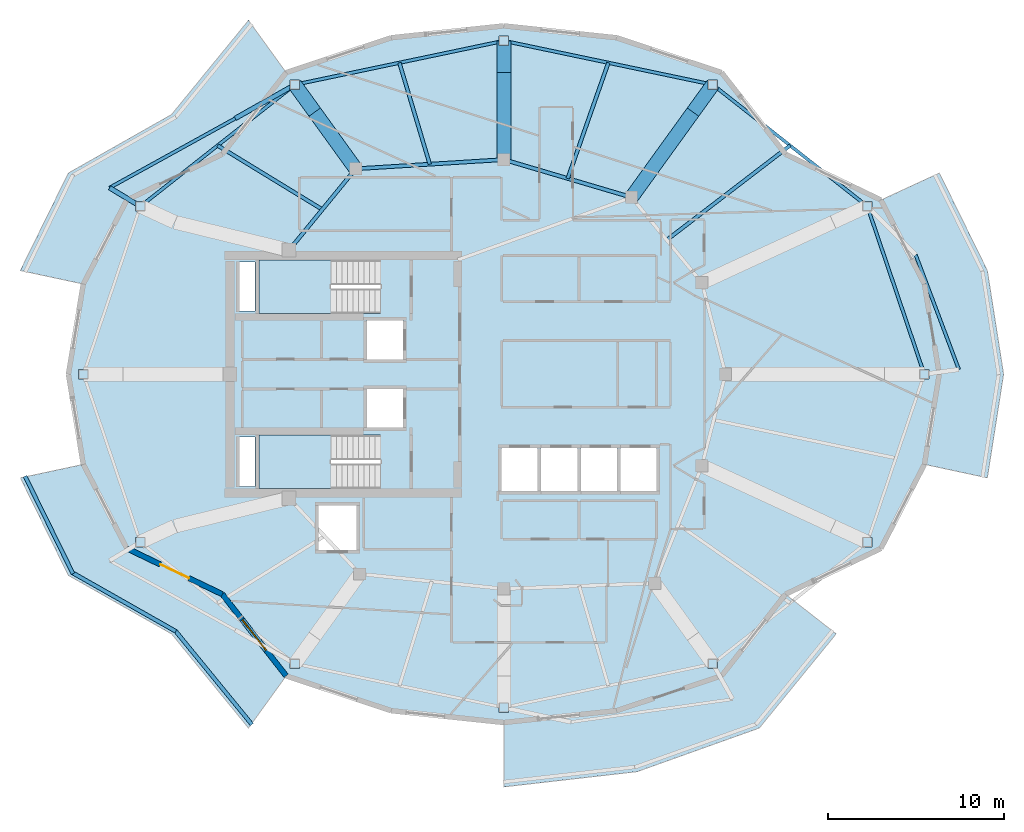
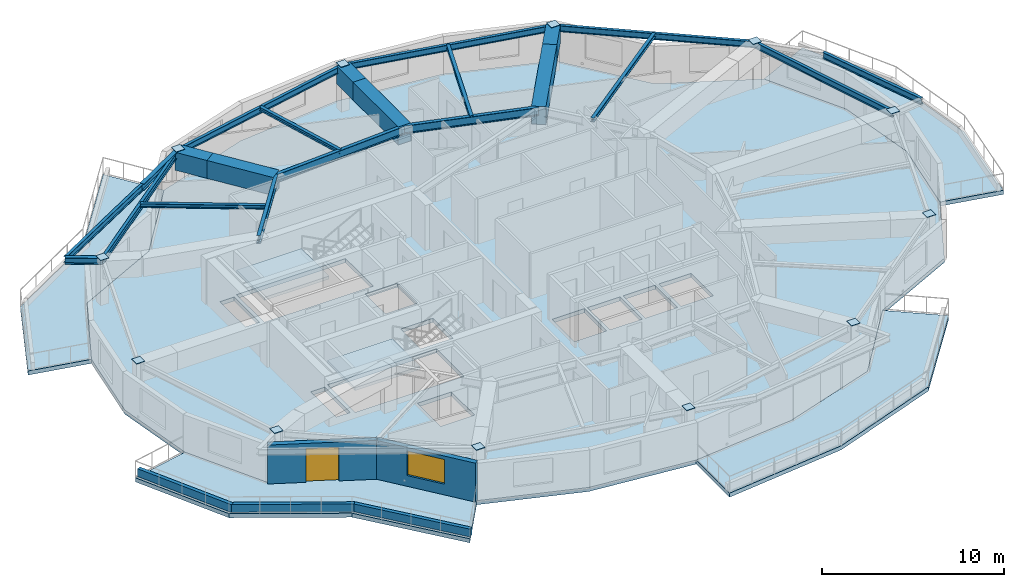
# One storey, part 2 of 11: 22 beams, 12 plates, 7 slabs, 5 walls, 1 door, 1 window, 2 openings, 2 elements without a shape of their own.
"""IFC4 building model written with IfcOpenShell, lengths in metres."""

from ifc_helpers import new_model, si_unit, direction, frame, frame_2d, origin, origin_2d, place, context, subcontext, project, spatial, polyline, rectangle, i_section, outline, extrude, material, layer, layer_set, material_profile, profile_set, type_object, element, fill, aggregate, save


model = new_model("IFC4")

# Units and contexts
model_context = context("Model", 3, precision=1e-05, world=origin(), true_north=direction((0.0, 1.0)))
body_context = subcontext(model_context, "Body", "Model", "MODEL_VIEW")
ifc_project = project(units=[si_unit("LENGTHUNIT", "METRE"), si_unit("AREAUNIT", "SQUARE_METRE"), si_unit("VOLUMEUNIT", "CUBIC_METRE"), si_unit("PLANEANGLEUNIT", "RADIAN"), si_unit("MASSUNIT", "GRAM", prefix="KILO")], contexts=[model_context])

# Site, building, storey
site_placement = place(None, origin())
site = spatial("IfcSite", under=ifc_project, at=site_placement, CompositionType="ELEMENT")
building_placement = place(site_placement, origin())
building = spatial("IfcBuilding", under=site, at=building_placement, Name="Kolvaren Gate Tower and Convention Centre", CompositionType="ELEMENT")
storey_placement = place(building_placement, frame((0.0, 0.0, 236.0)))
storey = spatial("IfcBuildingStorey", under=building, at=storey_placement, Name="L63", CompositionType="ELEMENT", Elevation=236.0)

# Beams
ifc_material_1 = material(Name="Structural steel ASTM A992 Grade 345 MPa", Category="steel")
ifc_material_profile_1 = material_profile(ifc_material_1, i_section(OverallWidth=0.260009765625, OverallDepth=0.419921875, WebThickness=0.013427734375, FlangeThickness=0.0224609375, at=origin_2d()), Name="W410X132")
ifc_profile_set_1 = profile_set([ifc_material_profile_1], Name="Structural steel ASTM A992 Grade 345 MPa")
beam_type_1 = type_object("IfcBeamType", Name="STR-BM-W410X132", PredefinedType="BEAM", material=ifc_profile_set_1)
beam_1_placement = place(storey_placement, frame((18.247314453125, 43.4580078125, 2.820556640625), z_axis=(-0.870602477688, -0.491987119591, 0.0), x_axis=(0.491987119591, -0.870602477688, 0.0)))
element("IfcBeam", 1, at=beam_1_placement, inside=storey, type_object=beam_type_1, Name="Tower L64 Planted Balcony Outrigger Cantilever BC-1A", PredefinedType="BEAM", context=body_context, shape_type="SweptSolid", body=[
    extrude(i_section(OverallWidth=0.260009765625, OverallDepth=0.419921875, WebThickness=0.013427734375, FlangeThickness=0.0224609375, at=origin_2d()), origin(), (0.0, 0.0, 1.0), 3.89990234375),
])
beam_2_placement = place(storey_placement, frame((9.462646484375, 36.543701171875, 2.820556640625), z_axis=(-0.856606413085, 0.515970399404, 0.0), x_axis=(-0.515970399404, -0.856606413085, 0.0)))
element("IfcBeam", 2, at=beam_2_placement, inside=storey, type_object=beam_type_1, Name="Tower L64 Planted Balcony Outrigger Cantilever BC-1B", PredefinedType="BEAM", context=body_context, shape_type="SweptSolid", body=[
    extrude(i_section(OverallWidth=0.260009765625, OverallDepth=0.419921875, WebThickness=0.013427734375, FlangeThickness=0.0224609375, at=origin_2d()), origin(), (0.0, 0.0, 1.0), 2.044189453125),
])
ifc_material_profile_2 = material_profile(ifc_material_1, i_section(OverallWidth=0.2119140625, OverallDepth=0.5439453125, WebThickness=0.01318359375, FlangeThickness=0.021240234375, at=origin_2d()), Name="W530X123")
ifc_profile_set_2 = profile_set([ifc_material_profile_2], Name="Structural steel ASTM A992 Grade 345 MPa")
beam_type_2 = type_object("IfcBeamType", Name="STR-BM-W530X123", PredefinedType="BEAM", material=ifc_profile_set_2)
beam_3_placement = place(storey_placement, frame((37.381591796875, 37.054931640625, 2.758056640625), z_axis=(-0.958980837827, 0.283470902706, 0.0), x_axis=(-0.283470902706, -0.958980837827, 0.0)))
element("IfcBeam", 3, at=beam_3_placement, inside=storey, type_object=beam_type_2, Name="Tower L63 Primary Ring Girder G-03", PredefinedType="BEAM", context=body_context, shape_type="SweptSolid", body=[
    extrude(i_section(OverallWidth=0.2119140625, OverallDepth=0.5439453125, WebThickness=0.01318359375, FlangeThickness=0.021240234375, at=origin_2d()), origin(), (0.0, 0.0, 1.0), 7.56689453125),
])
beam_4_placement = place(storey_placement, frame((30.125, 39.199951171875, 2.758056640625), z_axis=(-0.998078258568, -0.06196603726, 0.0), x_axis=(0.06196603726, -0.998078258568, 0.0)))
element("IfcBeam", 4, at=beam_4_placement, inside=storey, type_object=beam_type_2, Name="Tower L63 Primary Ring Girder G-04", PredefinedType="BEAM", context=body_context, shape_type="SweptSolid", body=[
    extrude(i_section(OverallWidth=0.2119140625, OverallDepth=0.5439453125, WebThickness=0.01318359375, FlangeThickness=0.021240234375, at=origin_2d()), origin(), (0.0, 0.0, 1.0), 8.443115234375),
])
beam_5_placement = place(storey_placement, frame((21.697998046875, 38.6767578125, 2.758056640625), z_axis=(-0.633082074904, -0.774084676528, 0.0), x_axis=(0.774084676528, -0.633082074904, 0.0)))
element("IfcBeam", 5, at=beam_5_placement, inside=storey, type_object=beam_type_2, Name="Tower L63 Primary Ring Girder G-05", PredefinedType="BEAM", context=body_context, shape_type="SweptSolid", body=[
    extrude(i_section(OverallWidth=0.2119140625, OverallDepth=0.5439453125, WebThickness=0.01318359375, FlangeThickness=0.021240234375, at=origin_2d()), origin(), (0.0, 0.0, 1.0), 5.97705078125),
])
ifc_material_profile_3 = material_profile(ifc_material_1, i_section(OverallWidth=0.202880859375, OverallDepth=0.251953125, WebThickness=0.008056640625, FlangeThickness=0.013427734375, at=origin_2d()), Name="W250X58")
ifc_profile_set_3 = profile_set([ifc_material_profile_3], Name="Structural steel ASTM A992 Grade 345 MPa")
beam_type_3 = type_object("IfcBeamType", Name="STR-JS-W250X58", PredefinedType="JOIST", material=ifc_profile_set_3)
beam_6_placement = place(storey_placement, frame((39.3818359375, 34.627197265625, 2.904052734375), z_axis=(0.793783340844, 0.608200631205, 0.0), x_axis=(-0.608200631205, 0.793783340844, 0.0)))
element("IfcBeam", 6, at=beam_6_placement, inside=storey, type_object=beam_type_3, Name="Tower L63 Secondary Composite Floor Joist J-02.1", PredefinedType="JOIST", context=body_context, shape_type="SweptSolid", body=[
    extrude(i_section(OverallWidth=0.202880859375, OverallDepth=0.251953125, WebThickness=0.008056640625, FlangeThickness=0.013427734375, at=origin_2d()), origin(), (0.0, 0.0, 1.0), 8.835205078125),
])
beam_7_placement = place(storey_placement, frame((33.75341796875, 38.12744140625, 2.904052734375), z_axis=(0.331432911821, 0.943478788824, 0.0), x_axis=(-0.943478788824, 0.331432911821, 0.0)))
element("IfcBeam", 7, at=beam_7_placement, inside=storey, type_object=beam_type_3, Name="Tower L63 Secondary Composite Floor Joist J-03.1", PredefinedType="JOIST", context=body_context, shape_type="SweptSolid", body=[
    extrude(i_section(OverallWidth=0.202880859375, OverallDepth=0.251953125, WebThickness=0.008056640625, FlangeThickness=0.013427734375, at=origin_2d()), origin(), (0.0, 0.0, 1.0), 6.970703125),
])
beam_8_placement = place(storey_placement, frame((25.91162109375, 38.938232421875, 2.904052734375), z_axis=(-0.286674209033, 0.958028130002, 0.0), x_axis=(-0.958028130002, -0.286674209033, 0.0)))
element("IfcBeam", 8, at=beam_8_placement, inside=storey, type_object=beam_type_3, Name="Tower L63 Secondary Composite Floor Joist J-04.1", PredefinedType="JOIST", context=body_context, shape_type="SweptSolid", body=[
    extrude(i_section(OverallWidth=0.202880859375, OverallDepth=0.251953125, WebThickness=0.008056640625, FlangeThickness=0.013427734375, at=origin_2d()), origin(), (0.0, 0.0, 1.0), 6.0185546875),
])
beam_9_placement = place(storey_placement, frame((19.805908203125, 36.36328125, 2.904052734375), z_axis=(-0.853232509014, 0.52153071392, 0.0), x_axis=(-0.52153071392, -0.853232509014, 0.0)))
element("IfcBeam", 9, at=beam_9_placement, inside=storey, type_object=beam_type_3, Name="Tower L63 Secondary Composite Floor Joist J-05.1", PredefinedType="JOIST", context=body_context, shape_type="SweptSolid", body=[
    extrude(i_section(OverallWidth=0.202880859375, OverallDepth=0.251953125, WebThickness=0.008056640625, FlangeThickness=0.013427734375, at=origin_2d()), origin(), (0.0, 0.0, 1.0), 6.974609375),
])
ifc_material_profile_4 = material_profile(ifc_material_1, i_section(OverallWidth=0.180908203125, OverallDepth=0.4169921875, WebThickness=0.010986328125, FlangeThickness=0.018310546875, at=origin_2d()), Name="W410X85")
ifc_profile_set_4 = profile_set([ifc_material_profile_4], Name="Structural steel ASTM A992 Grade 345 MPa")
beam_type_4 = type_object("IfcBeamType", Name="STR-SP-W410X85", PredefinedType="SPANDREL", material=ifc_profile_set_4)
beam_10_placement = place(storey_placement, frame((54.02490234375, 27.0, 2.821533203125), z_axis=(-0.321252507379, 0.946993572577, 0.0), x_axis=(-0.946993572577, -0.321252507379, 0.0)))
element("IfcBeam", 10, at=beam_10_placement, inside=storey, type_object=beam_type_4, Name="Tower L63 Perimeter Spandrel Beam SP-01", PredefinedType="SPANDREL", context=body_context, shape_type="SweptSolid", body=[
    extrude(i_section(OverallWidth=0.180908203125, OverallDepth=0.4169921875, WebThickness=0.010986328125, FlangeThickness=0.018310546875, at=origin_2d()), origin(), (0.0, 0.0, 1.0), 10.077880859375),
])
beam_11_placement = place(storey_placement, frame((50.787353515625, 36.543701171875, 2.821533203125), z_axis=(-0.78579365551, 0.618488747643, 0.0), x_axis=(-0.618488747643, -0.78579365551, 0.0)))
element("IfcBeam", 11, at=beam_11_placement, inside=storey, type_object=beam_type_4, Name="Tower L63 Perimeter Spandrel Beam SP-02", PredefinedType="SPANDREL", context=body_context, shape_type="SweptSolid", body=[
    extrude(i_section(OverallWidth=0.180908203125, OverallDepth=0.4169921875, WebThickness=0.010986328125, FlangeThickness=0.018310546875, at=origin_2d()), origin(), (0.0, 0.0, 1.0), 11.179443359375),
])
for number, where, z_axis, x_axis, name in (
    (12, (42.002685546875, 43.4580078125, 2.821533203125), (-0.978692765917, 0.205330148645, 0.0), (-0.205330148645, -0.978692765917, 0.0), "Tower L63 Perimeter Spandrel Beam SP-03"),
    (13, (30.125, 45.949951171875, 2.821533203125), (-0.978692765917, -0.205330148645, 0.0), (0.205330148645, -0.978692765917, 0.0), "Tower L63 Perimeter Spandrel Beam SP-04"),
):
    element("IfcBeam", number, at=place(storey_placement, frame(where, z_axis=z_axis, x_axis=x_axis)), inside=storey, type_object=beam_type_4, Name=name, PredefinedType="SPANDREL", context=body_context, shape_type="SweptSolid", body=[
        extrude(i_section(OverallWidth=0.180908203125, OverallDepth=0.4169921875, WebThickness=0.010986328125, FlangeThickness=0.018310546875, at=origin_2d()), origin(), (0.0, 0.0, 1.0), 12.13623046875),
    ])
beam_12_placement = place(storey_placement, frame((18.247314453125, 43.4580078125, 2.821533203125), z_axis=(-0.78579365551, -0.618488747643, 0.0), x_axis=(0.618488747643, -0.78579365551, 0.0)))
element("IfcBeam", 14, at=beam_12_placement, inside=storey, type_object=beam_type_4, Name="Tower L63 Perimeter Spandrel Beam SP-05", PredefinedType="SPANDREL", context=body_context, shape_type="SweptSolid", body=[
    extrude(i_section(OverallWidth=0.180908203125, OverallDepth=0.4169921875, WebThickness=0.010986328125, FlangeThickness=0.018310546875, at=origin_2d()), origin(), (0.0, 0.0, 1.0), 11.179443359375),
])
beam_13_placement = place(storey_placement, frame((14.85205078125, 41.539306640625, 2.822021484375), z_axis=(-0.8755051974, -0.483208701625, 0.0), x_axis=(0.483208701625, -0.8755051974, 0.0)))
element("IfcBeam", 15, at=beam_13_placement, inside=storey, type_object=beam_type_4, Name="Tower L64 Planted Balcony Header Tie Beam BT-1", PredefinedType="SPANDREL", context=body_context, shape_type="SweptSolid", body=[
    extrude(i_section(OverallWidth=0.180908203125, OverallDepth=0.4169921875, WebThickness=0.010986328125, FlangeThickness=0.018310546875, at=origin_2d()), origin(), (0.0, 0.0, 1.0), 8.15576171875),
])
beam_14_placement = place(storey_placement, frame((55.990966796875, 27.271240234375, 2.822021484375), z_axis=(-0.352619480616, 0.935766798882, 0.0), x_axis=(-0.935766798882, -0.352619480616, 0.0)))
element("IfcBeam", 16, at=beam_14_placement, inside=storey, type_object=beam_type_4, Name="Tower L64 Planted Balcony Header Tie Beam BT-4", PredefinedType="SPANDREL", context=body_context, shape_type="SweptSolid", body=[
    extrude(i_section(OverallWidth=0.180908203125, OverallDepth=0.4169921875, WebThickness=0.010986328125, FlangeThickness=0.018310546875, at=origin_2d()), origin(), (0.0, 0.0, 1.0), 6.954833984375),
])
ifc_material_2 = material(Name="Concrete C70/85", Category="concrete")
ifc_material_profile_5 = material_profile(ifc_material_2, rectangle(XDim=0.800048828125, YDim=1.199951171875, at=origin_2d()), Name="RC-BM-800X1200")
ifc_profile_set_5 = profile_set([ifc_material_profile_5], Name="Concrete C70/85")
beam_type_5 = type_object("IfcBeamType", Name="STR-TG-RC800X1200", PredefinedType="USERDEFINED", material=ifc_profile_set_5)
beam_15_placement = place(storey_placement, frame((37.381591796875, 37.054931640625, 2.430419921875), z_axis=(0.585212989833, 0.810879619013, 0.0), x_axis=(-0.810879619013, 0.585212989833, 0.0)))
element("IfcBeam", 17, at=beam_15_placement, inside=storey, type_object=beam_type_5, Name="Tower L63 Zone-Transition Radial Transfer Girder XFG-03A", ObjectType="TRANSFER GIRDER", PredefinedType="USERDEFINED", context=body_context, shape_type="SweptSolid", body=[
    extrude(rectangle(XDim=0.800048828125, YDim=1.199951171875, at=origin_2d()), origin(), (0.0, 0.0, 1.0), 5.97412109375),
])
beam_16_placement = place(storey_placement, frame((40.877685546875, 41.899169921875, 2.430419921875), z_axis=(0.585207670307, 0.810883458096, 0.0), x_axis=(-0.810883458096, 0.585207670307, 0.0)))
element("IfcBeam", 18, at=beam_16_placement, inside=storey, type_object=beam_type_5, Name="Tower L63 Zone-Transition Radial Transfer Girder XFG-03B", ObjectType="TRANSFER GIRDER", PredefinedType="USERDEFINED", context=body_context, shape_type="SweptSolid", body=[
    extrude(rectangle(XDim=0.800048828125, YDim=1.199951171875, at=origin_2d()), origin(), (0.0, 0.0, 1.0), 1.92236328125),
])
beam_17_placement = place(storey_placement, frame((30.125, 39.199951171875, 2.430419921875), z_axis=(0.0, 1.0, 0.0), x_axis=(-1.0, 0.0, 0.0)))
element("IfcBeam", 19, at=beam_17_placement, inside=storey, type_object=beam_type_5, Name="Tower L63 Zone-Transition Radial Transfer Girder XFG-04A", ObjectType="TRANSFER GIRDER", PredefinedType="USERDEFINED", context=body_context, shape_type="SweptSolid", body=[
    extrude(rectangle(XDim=0.800048828125, YDim=1.199951171875, at=origin_2d()), origin(), (0.0, 0.0, 1.0), 4.949951171875),
])
beam_18_placement = place(storey_placement, frame((30.125, 44.14990234375, 2.430419921875), z_axis=(0.0, 1.0, 0.0), x_axis=(-1.0, 0.0, 0.0)))
element("IfcBeam", 20, at=beam_18_placement, inside=storey, type_object=beam_type_5, Name="Tower L63 Zone-Transition Radial Transfer Girder XFG-04B", ObjectType="TRANSFER GIRDER", PredefinedType="USERDEFINED", context=body_context, shape_type="SweptSolid", body=[
    extrude(rectangle(XDim=0.800048828125, YDim=1.199951171875, at=origin_2d()), origin(), (0.0, 0.0, 1.0), 1.800048828125),
])
beam_19_placement = place(storey_placement, frame((21.697998046875, 38.6767578125, 2.430419921875), z_axis=(-0.585223600457, 0.810871961205, 0.0), x_axis=(-0.810871961205, -0.585223600457, 0.0)))
element("IfcBeam", 21, at=beam_19_placement, inside=storey, type_object=beam_type_5, Name="Tower L63 Zone-Transition Radial Transfer Girder XFG-05A", ObjectType="TRANSFER GIRDER", PredefinedType="USERDEFINED", context=body_context, shape_type="SweptSolid", body=[
    extrude(rectangle(XDim=0.800048828125, YDim=1.199951171875, at=origin_2d()), origin(), (0.0, 0.0, 1.0), 3.97412109375),
])
beam_20_placement = place(storey_placement, frame((19.372314453125, 41.899169921875, 2.430419921875), z_axis=(-0.585207670307, 0.810883458096, 0.0), x_axis=(-0.810883458096, -0.585207670307, 0.0)))
element("IfcBeam", 22, at=beam_20_placement, inside=storey, type_object=beam_type_5, Name="Tower L63 Zone-Transition Radial Transfer Girder XFG-05B", ObjectType="TRANSFER GIRDER", PredefinedType="USERDEFINED", context=body_context, shape_type="SweptSolid", body=[
    extrude(rectangle(XDim=0.800048828125, YDim=1.199951171875, at=origin_2d()), origin(), (0.0, 0.0, 1.0), 1.92236328125),
])

# Plates
ifc_material_3 = material(Name="Structural steel plate ASTM A572 Grade 345 MPa", Category="steel")
ifc_layer_1 = layer(ifc_material_3, 0.030029296875)
ifc_layer_set_1 = layer_set([ifc_layer_1], Name="Structural steel plate ASTM A572 Grade 345 MPa")
plate_type = type_object("IfcPlateType", Name="STR-PL-CAP-30", PredefinedType="USERDEFINED", material=ifc_layer_set_1)
for number, where, z_axis, x_axis, name in (
    (23, (54.02490234375, 27.0, 3.02685546875), (0.0, 0.0, 1.0), (1.0, 0.0, 0.0), "Supercolumn L63 TP-01 Welded Steel Cap Plate"),
    (24, (50.787353515625, 36.543701171875, 3.02685546875), (0.0, 0.0, 1.0), (1.0, 0.0, 0.0), "Supercolumn L63 TP-02 Welded Steel Cap Plate"),
    (25, (42.002685546875, 43.4580078125, 3.02685546875), (0.0, 0.0, 1.0), (1.0, 0.0, 0.0), "Supercolumn L63 TP-03 Welded Steel Cap Plate"),
    (26, (30.125, 45.949951171875, 3.02685546875), (0.0, 0.0, 1.0), (1.0, 0.0, 0.0), "Supercolumn L63 TP-04 Welded Steel Cap Plate"),
    (27, (18.247314453125, 43.4580078125, 3.02685546875), (0.0, 0.0, 1.0), (1.0, 0.0, 0.0), "Supercolumn L63 TP-05 Welded Steel Cap Plate"),
    (28, (9.462646484375, 36.543701171875, 3.02685546875), (0.0, 0.0, 1.0), (1.0, 0.0, 0.0), "Supercolumn L63 TP-06 Welded Steel Cap Plate"),
    (29, (6.22509765625, 27.0, 3.02685546875), (0.0, 0.0, 1.0), (1.0, 0.0, 0.0), "Supercolumn L63 TP-07 Welded Steel Cap Plate"),
    (30, (9.462646484375, 17.456298828125, 3.02685546875), (0.0, 0.0, 1.0), (1.0, 0.0, 0.0), "Supercolumn L63 TP-08 Welded Steel Cap Plate"),
    (31, (18.247314453125, 10.5419921875, 3.02685546875), (0.0, 0.0, 1.0), (1.0, 0.0, 0.0), "Supercolumn L63 TP-09 Welded Steel Cap Plate"),
    (32, (30.125, 8.050048828125, 3.02685546875), (0.0, 0.0, 1.0), (1.0, 0.0, 0.0), "Supercolumn L63 TP-10 Welded Steel Cap Plate"),
    (33, (42.002685546875, 10.5419921875, 3.02685546875), (0.0, 0.0, 1.0), (1.0, 0.0, 0.0), "Supercolumn L63 TP-11 Welded Steel Cap Plate"),
    (34, (50.787353515625, 17.456298828125, 3.02685546875), (0.0, 0.0, 1.0), (1.0, 0.0, 0.0), "Supercolumn L63 TP-12 Welded Steel Cap Plate"),
):
    element("IfcPlate", number, at=place(storey_placement, frame(where, z_axis=z_axis, x_axis=x_axis)), inside=storey, type_object=plate_type, Name=name, ObjectType="END PLATE", PredefinedType="USERDEFINED", context=body_context, shape_type="SweptSolid", body=[
        extrude(rectangle(XDim=0.5400390625, YDim=0.5400390625, at=origin_2d()), origin(), (0.0, 0.0, 1.0), 0.030029296875),
    ])

# Slabs
ifc_material_4 = material(Name="Concrete C50/60", Category="concrete")
ifc_layer_2 = layer(ifc_material_4, 0.27001953125)
ifc_layer_set_2 = layer_set([ifc_layer_2], Name="Concrete C50/60")
slab_type_1 = type_object("IfcSlabType", Name="STR-SL-BALC-270", PredefinedType="FLOOR", material=ifc_layer_set_2)
slab_1_placement = place(storey_placement, frame((0.0, 0.0, -0.27001953125)))
element("IfcSlab", 35, at=slab_1_placement, inside=storey, type_object=slab_type_1, Name="Tower L63 Planted Balcony Terrace Slab 1 (West)", PredefinedType="FLOOR", context=body_context, shape_type="SweptSolid", body=[
    extrude(outline(polyline([(17.75, 44.147216796875), (14.117431640625, 39.50732421875), (8.69091796875, 36.89990234375), (6.21826171875, 32.12451171875), (2.6396484375, 32.8916015625), (5.3681640625, 38.434814453125), (11.2333984375, 41.7607421875), (15.608154296875, 47.114990234375), (17.75, 44.147216796875)])), origin(), (0.0, 0.0, 1.0), 0.27001953125),
])
slab_2_placement = place(storey_placement, frame((0.0, 0.0, -0.27001953125)))
element("IfcSlab", 36, at=slab_2_placement, inside=storey, type_object=slab_type_1, Name="Tower L63 Planted Balcony Terrace Slab 2 (West)", PredefinedType="FLOOR", context=body_context, shape_type="SweptSolid", body=[
    extrude(outline(polyline([(6.21826171875, 21.87548828125), (8.69091796875, 17.10009765625), (14.117431640625, 14.49267578125), (17.75, 9.852783203125), (15.608154296875, 6.885009765625), (11.2333984375, 12.2392578125), (5.3681640625, 15.565185546875), (2.6396484375, 21.1083984375), (6.21826171875, 21.87548828125)])), origin(), (0.0, 0.0, 1.0), 0.27001953125),
])
slab_3_placement = place(storey_placement, frame((0.0, 0.0, -0.27001953125)))
element("IfcSlab", 37, at=slab_3_placement, inside=storey, type_object=slab_type_1, Name="Tower L63 Planted Balcony Terrace Slab 3 (South)", PredefinedType="FLOOR", context=body_context, shape_type="SweptSolid", body=[
    extrude(outline(polyline([(30.125, 7.199951171875), (36.53076171875, 7.874755859375), (42.5, 9.852783203125), (46.132568359375, 14.49267578125), (49.0166015625, 12.2392578125), (44.641845703125, 6.885009765625), (37.693115234375, 4.404296875), (30.125, 3.5400390625), (30.125, 7.199951171875)])), origin(), (0.0, 0.0, 1.0), 0.27001953125),
])
slab_4_placement = place(storey_placement, frame((0.0, 0.0, -0.27001953125)))
element("IfcSlab", 38, at=slab_4_placement, inside=storey, type_object=slab_type_1, Name="Tower L63 Planted Balcony Terrace Slab 4 (East)", PredefinedType="FLOOR", context=body_context, shape_type="SweptSolid", body=[
    extrude(outline(polyline([(54.03173828125, 21.87548828125), (54.875, 27.0), (54.03173828125, 32.12451171875), (51.55908203125, 36.89990234375), (54.8818359375, 38.434814453125), (57.6103515625, 32.8916015625), (58.534912109375, 27.0), (57.6103515625, 21.1083984375), (54.03173828125, 21.87548828125)])), origin(), (0.0, 0.0, 1.0), 0.27001953125),
])
ifc_material_5 = material(Name="Concrete C40/50", Category="concrete")
ifc_layer_3 = layer(ifc_material_5, 0.27001953125)
ifc_layer_set_3 = layer_set([ifc_layer_3], Name="Concrete C40/50")
slab_type_2 = type_object("IfcSlabType", Name="STR-SL-FLR-270", PredefinedType="FLOOR", material=ifc_layer_set_3)
slab_5_placement = place(storey_placement, frame((0.0, 0.0, -0.27001953125)))
element("IfcSlab", 39, at=slab_5_placement, inside=storey, type_object=slab_type_2, Name="Tower L63 Structural Floor Slab", PredefinedType="FLOOR", context=body_context, shape_type="SweptSolid", body=[
    extrude(outline(polyline([(54.875, 27.0), (54.03173828125, 32.12451171875), (51.55908203125, 36.89990234375), (46.132568359375, 39.50732421875), (42.5, 44.147216796875), (36.53076171875, 46.125244140625), (30.125, 46.800048828125), (23.71923828125, 46.125244140625), (17.75, 44.147216796875), (14.117431640625, 39.50732421875), (8.69091796875, 36.89990234375), (6.21826171875, 32.12451171875), (5.375, 27.0), (6.21826171875, 21.87548828125), (8.69091796875, 17.10009765625), (14.117431640625, 14.49267578125), (17.75, 9.852783203125), (23.71923828125, 7.874755859375), (30.125, 7.199951171875), (36.53076171875, 7.874755859375), (42.5, 9.852783203125), (46.132568359375, 14.49267578125), (51.55908203125, 17.10009765625), (54.03173828125, 21.87548828125), (54.875, 27.0)]), holes=[polyline([(36.75, 20.35009765625), (36.75, 22.800048828125), (38.800048828125, 22.800048828125), (38.800048828125, 20.35009765625), (36.75, 20.35009765625)]), polyline([(36.550048828125, 20.35009765625), (34.5, 20.35009765625), (34.5, 22.800048828125), (36.550048828125, 22.800048828125), (36.550048828125, 20.35009765625)]), polyline([(32.25, 20.35009765625), (32.25, 22.800048828125), (34.300048828125, 22.800048828125), (34.300048828125, 20.35009765625), (32.25, 20.35009765625)]), polyline([(30.0, 20.35009765625), (30.0, 22.800048828125), (32.050048828125, 22.800048828125), (32.050048828125, 20.35009765625), (30.0, 20.35009765625)]), polyline([(22.35009765625, 23.9599609375), (22.35009765625, 26.159912109375), (24.39990234375, 26.159912109375), (24.39990234375, 23.9599609375), (22.35009765625, 23.9599609375)]), polyline([(22.35009765625, 27.840087890625), (22.35009765625, 30.0400390625), (24.39990234375, 30.0400390625), (24.39990234375, 27.840087890625), (22.35009765625, 27.840087890625)]), polyline([(16.199951171875, 23.5400390625), (23.10009765625, 23.5400390625), (23.10009765625, 20.5), (16.199951171875, 20.5), (16.199951171875, 23.5400390625)]), polyline([(16.199951171875, 33.5), (23.10009765625, 33.5), (23.10009765625, 30.4599609375), (16.199951171875, 30.4599609375), (16.199951171875, 33.5)]), polyline([(21.75, 17.0), (19.60009765625, 17.0), (19.60009765625, 19.550048828125), (21.75, 19.550048828125), (21.75, 17.0)]), polyline([(15.080078125, 30.580078125), (15.080078125, 33.3701171875), (15.969970703125, 33.3701171875), (15.969970703125, 30.580078125), (15.080078125, 30.580078125)]), polyline([(15.969970703125, 20.6298828125), (15.080078125, 20.6298828125), (15.080078125, 23.419921875), (15.969970703125, 23.419921875), (15.969970703125, 20.6298828125)])]), origin(), (0.0, 0.0, 1.0), 0.27001953125),
])

# Stair, slab
stair_type = type_object("IfcStairType", Name="STR-STAIR-CORE", PredefinedType="HALF_TURN_STAIR", material=ifc_material_4)
stair_1_placement = place(storey_placement, origin())
stair_1 = element("IfcStair", 40, at=stair_1_placement, inside=storey, type_object=stair_type, Name="L63 Tower North Exit Stair ST-T1", PredefinedType="HALF_TURN_STAIR")
ifc_layer_4 = layer(ifc_material_4, 0.199951171875)
ifc_layer_set_4 = layer_set([ifc_layer_4], Name="Concrete C50/60")
slab_type_3 = type_object("IfcSlabType", Name="STR-SL-LAND-200", PredefinedType="LANDING", material=ifc_layer_set_4)
slab_6_placement = place(storey_placement, frame((0.0, 0.0, 1.449951171875)))
slab_6 = element("IfcSlab", 41, at=slab_6_placement, type_object=slab_type_3, Name="ST-T1 landing 1", PredefinedType="LANDING", context=body_context, shape_type="SweptSolid", body=[
    extrude(outline(polyline([(20.31005859375, 33.5), (16.199951171875, 33.5), (16.199951171875, 30.4599609375), (20.31005859375, 30.4599609375), (20.31005859375, 33.5)])), origin(), (0.0, 0.0, 1.0), 0.199951171875),
])
aggregate(stair_1, [slab_6])

stair_2_placement = place(storey_placement, origin())
stair_2 = element("IfcStair", 42, at=stair_2_placement, inside=storey, type_object=stair_type, Name="L63 Tower South Exit Stair ST-T2", PredefinedType="HALF_TURN_STAIR")
slab_7_placement = place(storey_placement, frame((0.0, 0.0, 1.449951171875)))
slab_7 = element("IfcSlab", 43, at=slab_7_placement, type_object=slab_type_3, Name="ST-T2 landing 1", PredefinedType="LANDING", context=body_context, shape_type="SweptSolid", body=[
    extrude(outline(polyline([(20.31005859375, 23.5400390625), (16.199951171875, 23.5400390625), (16.199951171875, 20.5), (20.31005859375, 20.5), (20.31005859375, 23.5400390625)])), origin(), (0.0, 0.0, 1.0), 0.199951171875),
])
aggregate(stair_2, [slab_7])

# Walls
ifc_material_6 = material(Name="Piedmont Cream Honed Limestone Cladding", Category="masonry")
ifc_layer_5 = layer(ifc_material_6, 0.219970703125)
ifc_layer_set_5 = layer_set([ifc_layer_5], Name="Piedmont Cream Honed Limestone Cladding")
wall_type_1 = type_object("IfcWallType", Name="ARCH-WL-PLANTER-220", PredefinedType="PARAPET", material=ifc_layer_set_5)
wall_1_placement = place(storey_placement, frame((2.905517578125, 21.1962890625, 0.0), z_axis=(0.0, 0.0, 1.0), x_axis=(0.441640961804, -0.897191875162, 0.0)))
element("IfcWall", 44, at=wall_1_placement, inside=storey, type_object=wall_type_1, Name="Vertical-Forest Balcony Stone Planter Kerb PK-L63-2.1", PredefinedType="PARAPET", context=body_context, shape_type="SweptSolid", body=[
    extrude(rectangle(XDim=6.17822265625, YDim=0.219970703125, at=frame_2d((3.089111328125, 0.0))), origin(), (0.0, 0.0, 1.0), 0.52001953125),
])
wall_2_placement = place(storey_placement, frame((5.6083984375, 15.70947265625, 0.0), z_axis=(0.0, 0.0, 1.0), x_axis=(0.869860619267, -0.493297580623, 0.0)))
element("IfcWall", 45, at=wall_2_placement, inside=storey, type_object=wall_type_1, Name="Vertical-Forest Balcony Stone Planter Kerb PK-L63-2.2", PredefinedType="PARAPET", context=body_context, shape_type="SweptSolid", body=[
    extrude(rectangle(XDim=6.74267578125, YDim=0.219970703125, at=frame_2d((3.371337890625, 0.0))), origin(), (0.0, 0.0, 1.0), 0.52001953125),
])
wall_3_placement = place(storey_placement, frame((11.42724609375, 12.44140625, 0.0), z_axis=(0.0, 0.0, 1.0), x_axis=(0.632697312147, -0.774399193699, 0.0)))
element("IfcWall", 46, at=wall_3_placement, inside=storey, type_object=wall_type_1, Name="Vertical-Forest Balcony Stone Planter Kerb PK-L63-2.3", PredefinedType="PARAPET", context=body_context, shape_type="SweptSolid", body=[
    extrude(rectangle(XDim=6.9140625, YDim=0.219970703125, at=frame_2d((3.45703125, 0.0))), origin(), (0.0, 0.0, 1.0), 0.52001953125),
])

# Wall, opening, door
ifc_layer_6 = layer(ifc_material_6, 0.300048828125)
ifc_layer_set_6 = layer_set([ifc_layer_6], Name="Piedmont Cream Honed Limestone Cladding")
wall_type_2 = type_object("IfcWallType", Name="ARCH-WL-STONE-300", PredefinedType="SOLIDWALL", material=ifc_layer_set_6)
wall_4_placement = place(storey_placement, frame((8.69091796875, 17.10009765625, 0.0), z_axis=(0.0, 0.0, 1.0), x_axis=(0.901348331142, -0.433094892545, 0.0)))
wall_4 = element("IfcWall", 47, at=wall_4_placement, inside=storey, type_object=wall_type_2, Name="Tower L63 Honed Stone Spandrel Wall EW-14", PredefinedType="SOLIDWALL", context=body_context, shape_type="SweptSolid", body=[
    extrude(rectangle(XDim=6.0205078125, YDim=0.300048828125, at=frame_2d((3.01025390625, 0.0))), origin(), (0.0, 0.0, 1.0), 2.60498046875),
])
opening_1_placement = place(wall_4_placement, frame((2.110107421875, 0.0, 0.0)))
opening_1 = element("IfcOpeningElement", 48, at=opening_1_placement, cuts=wall_4, Name="Opening DB-01", PredefinedType="OPENING", context=body_context, shape_type="SweptSolid", body=[
    extrude(rectangle(XDim=1.800048828125, YDim=2.25, at=frame_2d((0.89990234375, 1.125))), frame((0.0, 0.159912109375, 0.0), z_axis=(0.0, -1.0, 0.0), x_axis=(1.0, 0.0, 0.0)), (0.0, 0.0, 1.0), 0.320068359375),
])
ifc_material_7 = material(Name="Anodized Architectural Aluminium Alloy 6063-T6", Category="aluminium")
door_type = type_object("IfcDoorType", Name="ARCH-DR-BALC-1800", OperationType="SLIDING_TO_LEFT", PredefinedType="DOOR", material=ifc_material_7)
door_placement = place(opening_1_placement, frame((1.800048828125, 0.0, 0.0), z_axis=(0.0, 0.0, 1.0), x_axis=(-1.0, 0.0, 0.0)))
door = element("IfcDoor", 49, at=door_placement, inside=storey, type_object=door_type, Name="Planted Sky Terrace Access Door DB-L63-14", OperationType="SLIDING_TO_LEFT", OverallHeight=2.25, OverallWidth=1.800048828125, PredefinedType="DOOR", context=body_context, shape_type="SweptSolid", body=[
    extrude(rectangle(XDim=1.800048828125, YDim=2.25, at=frame_2d((0.89990234375, 1.125))), frame((0.0, 0.02490234375, 0.0), z_axis=(0.0, -1.0, 0.0), x_axis=(1.0, 0.0, 0.0)), (0.0, 0.0, 1.0), 0.050048828125),
])
fill(opening_1, door)

# Wall, opening, window
wall_5_placement = place(storey_placement, frame((14.117431640625, 14.49267578125, 0.0), z_axis=(0.0, 0.0, 1.0), x_axis=(0.616450126935, -0.787393955401, 0.0)))
wall_5 = element("IfcWall", 50, at=wall_5_placement, inside=storey, type_object=wall_type_2, Name="Tower L63 Honed Stone Spandrel Wall EW-15", PredefinedType="SOLIDWALL", context=body_context, shape_type="SweptSolid", body=[
    extrude(rectangle(XDim=5.892822265625, YDim=0.300048828125, at=frame_2d((2.9462890625, 0.0))), origin(), (0.0, 0.0, 1.0), 2.60498046875),
])
opening_2_placement = place(wall_5_placement, frame((1.845947265625, 0.0, 0.719970703125)))
opening_2 = element("IfcOpeningElement", 51, at=opening_2_placement, cuts=wall_5, Name="Opening W-03", PredefinedType="OPENING", context=body_context, shape_type="SweptSolid", body=[
    extrude(rectangle(XDim=2.199951171875, YDim=1.64990234375, at=frame_2d((1.10009765625, 0.824951171875))), frame((0.0, 0.159912109375, 0.0), z_axis=(0.0, -1.0, 0.0), x_axis=(1.0, 0.0, 0.0)), (0.0, 0.0, 1.0), 0.320068359375),
])
ifc_material_8 = material(Name="Low-E Triple Insulated Glazing Unit 44 mm", Category="glass")
window_type = type_object("IfcWindowType", Name="ARCH-WN-RES-2200", PartitioningType="SINGLE_PANEL", PredefinedType="WINDOW", material=ifc_material_8)
window_placement = place(opening_2_placement, origin())
window = element("IfcWindow", 52, at=window_placement, inside=storey, type_object=window_type, Name="Tower L63 Punched Stone Facade Window W-15", OverallHeight=1.64990234375, OverallWidth=2.199951171875, PartitioningType="SINGLE_PANEL", PredefinedType="WINDOW", context=body_context, shape_type="SweptSolid", body=[
    extrude(rectangle(XDim=2.199951171875, YDim=1.64990234375, at=frame_2d((1.10009765625, 0.824951171875))), frame((0.0, 0.030029296875, 0.0), z_axis=(0.0, -1.0, 0.0), x_axis=(1.0, 0.0, 0.0)), (0.0, 0.0, 1.0), 0.06005859375),
])
fill(opening_2, window)

save(model, "model.ifc")
